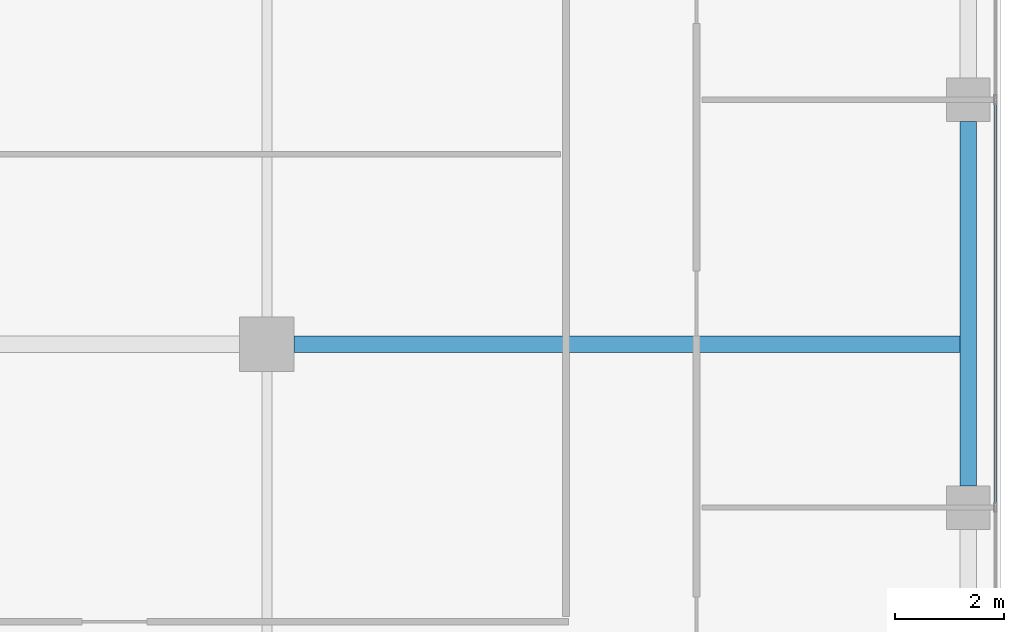
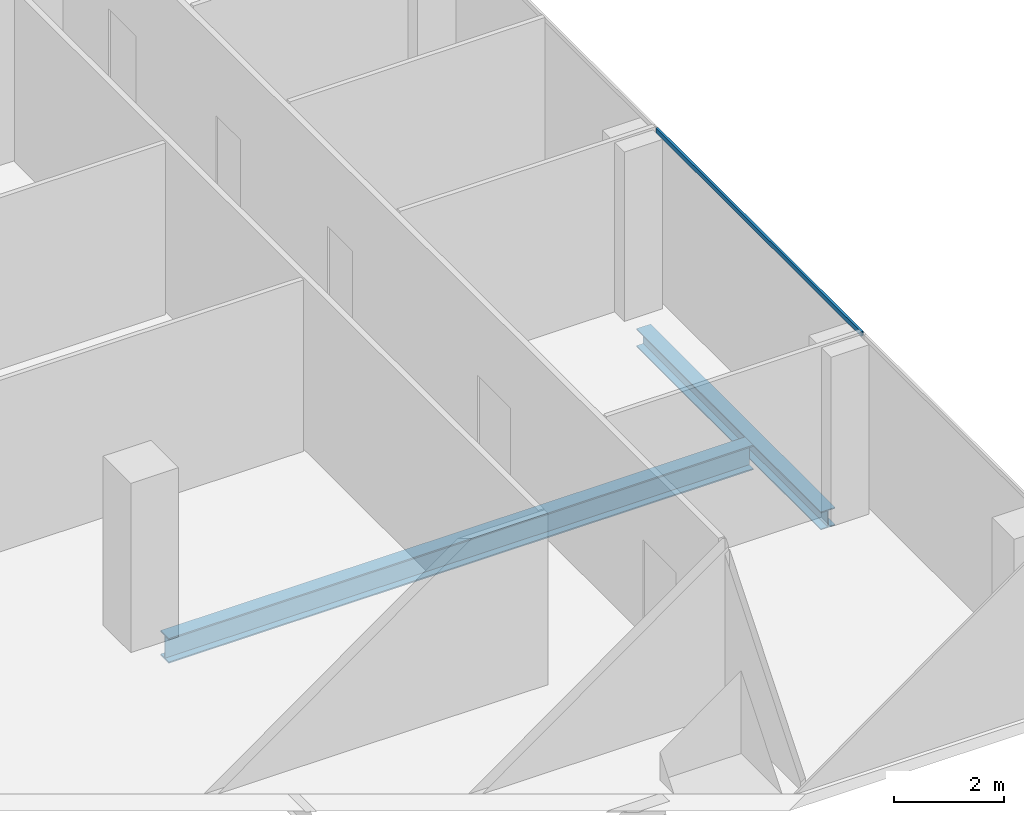
# One storey, part 10 of 29: 2 beams, 1 member, 1 element without a shape of its own.
"""IFC4 building model written with IfcOpenShell, lengths in metres."""

from ifc_helpers import new_model, si_unit, direction, frame, origin, origin_2d, place, context, subcontext, project, spatial, hollow_rectangle, i_section, extrude, source, transform, mapped, material, material_profile, profile_set, type_object, element, aggregate, save


model = new_model("IFC4")

# Units and contexts
model_context = context("Model", 3, precision=1e-05, world=origin(), true_north=direction((0.0, 1.0)))
body_context = subcontext(model_context, "Body", "Model", "MODEL_VIEW")
ifc_project = project(units=[si_unit("LENGTHUNIT", "METRE"), si_unit("AREAUNIT", "SQUARE_METRE"), si_unit("VOLUMEUNIT", "CUBIC_METRE"), si_unit("PLANEANGLEUNIT", "RADIAN"), si_unit("MASSUNIT", "GRAM", prefix="KILO")], contexts=[model_context])

# Site, building, storey
site_placement = place(None, origin())
site = spatial("IfcSite", under=ifc_project, at=site_placement, CompositionType="ELEMENT")
building_placement = place(site_placement, origin())
building = spatial("IfcBuilding", under=site, at=building_placement, Name="Khomas Fold Tower", CompositionType="ELEMENT")
storey_placement = place(building_placement, frame((0.0, 0.0, 310.199951171875)))
storey = spatial("IfcBuildingStorey", under=building, at=storey_placement, Name="L70", CompositionType="ELEMENT", Elevation=310.199951171875)

# Beams
ifc_material_1 = material(Name="Steel S355", Category="steel")
ifc_material_profile_1 = material_profile(ifc_material_1, i_section(OverallWidth=0.300048828125, OverallDepth=0.39990234375, WebThickness=0.013427734375, FlangeThickness=0.02392578125, at=origin_2d()), Name="HE 400 B")
ifc_profile_set_1 = profile_set([ifc_material_profile_1], Name="Steel S355")
beam_type_1 = type_object("IfcBeamType", Name="HE 400 B spandrel SB5", PredefinedType="SPANDREL", material=ifc_profile_set_1)
shared_shape_1 = source(origin(), body_context, "Body", "SweptSolid", [
    extrude(i_section(OverallWidth=0.300048828125, OverallDepth=0.39990234375, WebThickness=0.013427734375, FlangeThickness=0.02392578125, at=origin_2d()), origin(), (0.0, 0.0, 1.0), 6.7001953125),
])
beam_1_placement = place(storey_placement, frame((47.39990234375, 19.89990234375, -0.449951171875), z_axis=(0.0, 1.0, 0.0), x_axis=(-1.0, 0.0, 0.0)))
element("IfcBeam", 1, at=beam_1_placement, inside=storey, type_object=beam_type_1, Name="SB5", PredefinedType="SPANDREL", context=body_context, shape_type="MappedRepresentation", body=[
    mapped(shared_shape_1, transform((0.0, 0.0, 0.0))),
])
ifc_material_2 = material(Name="Steel S355", Category="steel")
ifc_material_profile_2 = material_profile(ifc_material_2, i_section(OverallWidth=0.300048828125, OverallDepth=0.550048828125, WebThickness=0.014892578125, FlangeThickness=0.029052734375, at=origin_2d()), Name="HE 550 B")
ifc_profile_set_2 = profile_set([ifc_material_profile_2], Name="Steel S355")
beam_type_2 = type_object("IfcBeamType", Name="HE 550 B beam GB4", PredefinedType="BEAM", material=ifc_profile_set_2)
shared_shape_2 = source(origin(), body_context, "Body", "SweptSolid", [
    extrude(i_section(OverallWidth=0.300048828125, OverallDepth=0.550048828125, WebThickness=0.014892578125, FlangeThickness=0.029052734375, at=origin_2d()), origin(), (0.0, 0.0, 1.0), 12.25),
])
beam_2_placement = place(storey_placement, frame((35.0, 22.5, -0.52490234375), z_axis=(1.0, 0.0, 0.0), x_axis=(0.0, 1.0, 0.0)))
element("IfcBeam", 2, at=beam_2_placement, inside=storey, type_object=beam_type_2, Name="GB4", PredefinedType="BEAM", context=body_context, shape_type="MappedRepresentation", body=[
    mapped(shared_shape_2, transform((0.0, 0.0, 0.0))),
])

# Curtain wall, member
ifc_material_3 = material(Name="Aluminium framed double glazing", Category="aluminium")
curtain_wall_type = type_object("IfcCurtainWallType", Name="SK-Unitised clear-glass wall, upper floors CW3", PredefinedType="NOTDEFINED", material=ifc_material_3)
curtain_wall_placement = place(storey_placement, origin())
curtain_wall = element("IfcCurtainWall", 3, at=curtain_wall_placement, inside=storey, type_object=curtain_wall_type, Name="CW3 run L70 03-0", PredefinedType="NOTDEFINED")
ifc_material_4 = material(Name="Aluminium", Category="aluminium")
ifc_material_profile_3 = material_profile(ifc_material_4, hollow_rectangle(XDim=0.050048828125, YDim=0.10009765625, WallThickness=0.00390625, at=origin_2d()), Name="SK-Unitised clear-glass wall, upper floors transom CW3-T")
ifc_profile_set_3 = profile_set([ifc_material_profile_3], Name="Aluminium")
member_type = type_object("IfcMemberType", Name="SK-Unitised clear-glass wall, upper floors transom CW3-T", PredefinedType="USERDEFINED", material=ifc_profile_set_3)
shared_shape_3 = source(origin(), body_context, "Body", "SweptSolid", [
    extrude(hollow_rectangle(XDim=0.050048828125, YDim=0.10009765625, WallThickness=0.00390625, at=origin_2d()), origin(), (0.0, 0.0, 1.0), 7.4501953125),
])
member_placement = place(storey_placement, frame((47.89990234375, 19.52490234375, 3.699951171875), z_axis=(0.0, 1.0, 0.0), x_axis=(-1.0, 0.0, 0.0)))
member = element("IfcMember", 4, at=member_placement, type_object=member_type, Name="CW3 transom 3", ObjectType="TRANSOM", PredefinedType="USERDEFINED", context=body_context, shape_type="MappedRepresentation", body=[
    mapped(shared_shape_3, transform((0.0, 0.0, 0.0))),
])
aggregate(curtain_wall, [member])

save(model, "model.ifc")
